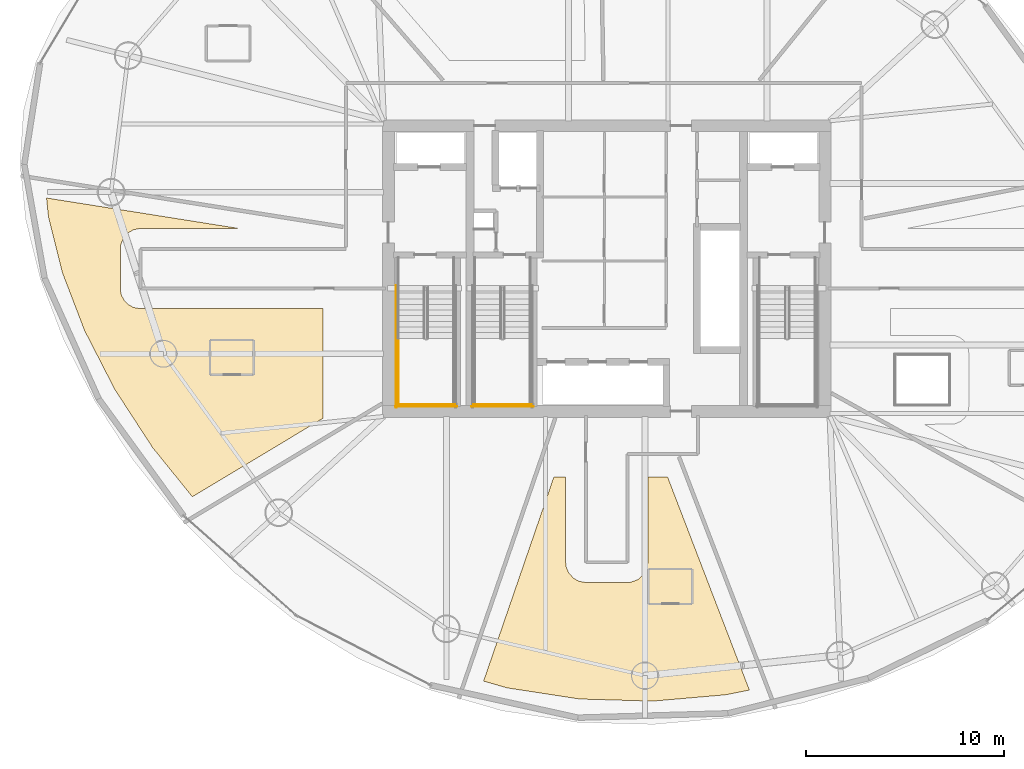
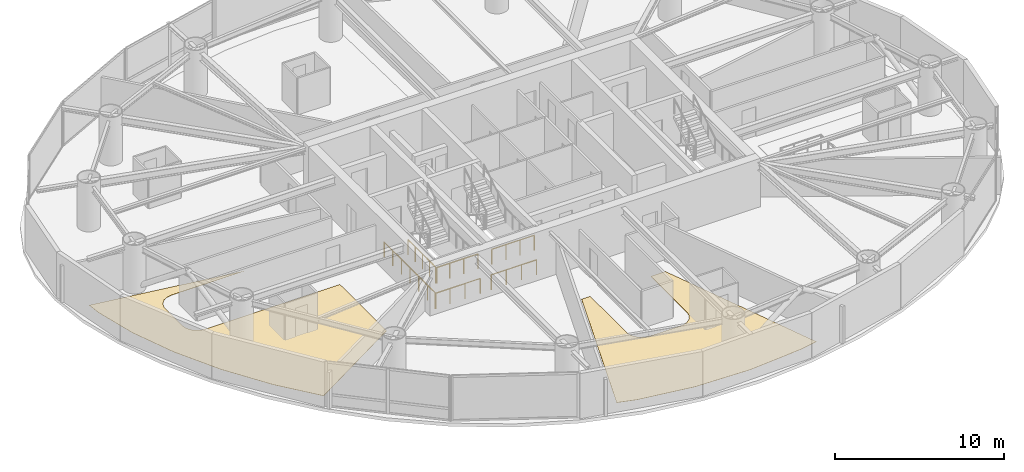
# One storey, part 17 of 20: 6 railings, 2 coverings.
"""IFC4 building model written with IfcOpenShell, lengths in metres."""

from ifc_helpers import new_model, si_unit, direction, frame, origin, origin_2d, place, context, subcontext, project, spatial, polyline, circle, outline, extrude, material, layer, layer_set, type_object, element, save


model = new_model("IFC4")

# Units and contexts
model_context = context("Model", 3, precision=1e-05, world=origin(), true_north=direction((0.0, 1.0)))
body_context = subcontext(model_context, "Body", "Model", "MODEL_VIEW")
ifc_project = project(units=[si_unit("LENGTHUNIT", "METRE"), si_unit("AREAUNIT", "SQUARE_METRE"), si_unit("VOLUMEUNIT", "CUBIC_METRE"), si_unit("PLANEANGLEUNIT", "RADIAN"), si_unit("MASSUNIT", "GRAM", prefix="KILO")], contexts=[model_context])

# Site, building, storey
site_placement = place(None, origin())
site = spatial("IfcSite", under=ifc_project, at=site_placement, CompositionType="ELEMENT")
building_placement = place(site_placement, origin())
building = spatial("IfcBuilding", under=site, at=building_placement, Name="Bramvorn Convention Spire", CompositionType="ELEMENT")
storey_placement = place(building_placement, frame((0.0, 0.0, 113.300048828125)))
storey = spatial("IfcBuildingStorey", under=building, at=storey_placement, Name="L27", CompositionType="ELEMENT", Elevation=113.300048828125)

# Coverings
ifc_material_1 = material(Name="Solution-Dyed Wool Broadloom Hospitality Carpet", Category="textile")
ifc_layer = layer(ifc_material_1, 0.014892578125)
ifc_layer_set = layer_set([ifc_layer], Name="Solution-Dyed Wool Broadloom Hospitality Carpet - FLR-CARPET-15")
covering_type = type_object("IfcCoveringType", Name="FLR-CARPET-15", PredefinedType="FLOORING", material=ifc_layer_set)
covering_1_placement = place(storey_placement, origin())
element("IfcCovering", 1, at=covering_1_placement, inside=storey, type_object=covering_type, Name="Hotel Suite 2705 wool broadloom carpet", PredefinedType="FLOORING", context=body_context, shape_type="SweptSolid", body=[
    extrude(outline(polyline([(17.114013671875, 14.50048828125), (23.699951171875, 18.457763671875), (23.699951171875, 23.97998046875), (14.5, 23.97998046875), (14.15087890625, 24.041748046875), (13.8876953125, 24.184326171875), (13.67724609375, 24.397216796875), (13.537841796875, 24.662109375), (13.481689453125, 24.944091796875), (13.490234375, 27.143798828125), (13.622314453125, 27.519287109375), (13.8876953125, 27.815673828125), (14.15087890625, 27.958251953125), (14.455810546875, 28.018798828125), (19.492919921875, 28.02001953125), (9.76416015625, 29.560791015625), (9.862548828125, 28.61083984375), (10.564697265625, 25.797607421875), (11.684326171875, 22.87451171875), (13.206787109375, 19.9072265625), (15.113037109375, 16.976318359375), (17.114013671875, 14.50048828125)])), origin(), (0.0, 0.0, 1.0), 0.014892578125),
])
covering_2_placement = place(storey_placement, origin())
element("IfcCovering", 2, at=covering_2_placement, inside=storey, type_object=covering_type, Name="Hotel Suite 2707 wool broadloom carpet", PredefinedType="FLOORING", context=body_context, shape_type="SweptSolid", body=[
    extrude(outline(polyline([(43.9755859375, 4.517578125), (45.190185546875, 4.757080078125), (41.06640625, 15.5), (40.070068359375, 15.5), (40.06884765625, 11.15576171875), (40.01220703125, 10.862060546875), (39.865478515625, 10.587646484375), (39.5693359375, 10.322265625), (39.19384765625, 10.190185546875), (36.949951171875, 10.179931640625), (36.612060546875, 10.23779296875), (36.337646484375, 10.384521484375), (36.078369140625, 10.670654296875), (35.962158203125, 10.946533203125), (35.929931640625, 11.199951171875), (35.929931640625, 15.5), (35.33642578125, 15.5), (31.793701171875, 5.211181640625), (32.974365234375, 4.868896484375), (36.62841796875, 4.30712890625), (40.320556640625, 4.2001953125), (43.9755859375, 4.517578125)])), origin(), (0.0, 0.0, 1.0), 0.014892578125),
])

# Railings
ifc_material_2 = material(Name="Painted Steel Balustrade & Guardrail", Category="steel")
railing_type = type_object("IfcRailingType", Name="RL-STAIR-GUARD-1100", PredefinedType="GUARDRAIL", material=ifc_material_2)
railing_1_placement = place(storey_placement, frame((27.5, 22.485107421875, 1.75)))
element("IfcRailing", 3, at=railing_1_placement, inside=storey, type_object=railing_type, Name="L27 ST1 stair guard 3", PredefinedType="GUARDRAIL", context=body_context, shape_type="SweptSolid", body=[
    extrude(circle(Radius=0.02392578125, at=origin_2d()), frame((0.0, 0.0, 1.076171875), z_axis=(0.0, -1.0, 0.0), x_axis=(1.0, 0.0, 0.0)), (0.0, 0.0, 1.0), 3.385009765625),
    extrude(circle(Radius=0.02099609375, at=origin_2d()), origin(), (0.0, 0.0, 1.0), 1.052001953125),
    extrude(circle(Radius=0.02099609375, at=origin_2d()), frame((0.0, -0.84619140625, 0.0)), (0.0, 0.0, 1.0), 1.052001953125),
    extrude(circle(Radius=0.02099609375, at=origin_2d()), frame((0.0, -1.6923828125, 0.0)), (0.0, 0.0, 1.0), 1.052001953125),
    extrude(circle(Radius=0.02099609375, at=origin_2d()), frame((0.0, -2.538818359375, 0.0)), (0.0, 0.0, 1.0), 1.052001953125),
    extrude(circle(Radius=0.02099609375, at=origin_2d()), frame((0.0, -3.385009765625, 0.0)), (0.0, 0.0, 1.0), 1.052001953125),
])
railing_2_placement = place(storey_placement, frame((27.449951171875, 19.14990234375, 1.75)))
element("IfcRailing", 4, at=railing_2_placement, inside=storey, type_object=railing_type, Name="L27 ST1 stair guard 5", PredefinedType="GUARDRAIL", context=body_context, shape_type="SweptSolid", body=[
    extrude(circle(Radius=0.02392578125, at=origin_2d()), frame((0.0, 0.0, 1.076171875), z_axis=(1.0, 0.0, 0.0), x_axis=(0.0, 1.0, 0.0)), (0.0, 0.0, 1.0), 2.900146484375),
    extrude(circle(Radius=0.02099609375, at=origin_2d()), origin(), (0.0, 0.0, 1.0), 1.052001953125),
    extrude(circle(Radius=0.02099609375, at=origin_2d()), frame((0.966796875, 0.0, 0.0)), (0.0, 0.0, 1.0), 1.052001953125),
    extrude(circle(Radius=0.02099609375, at=origin_2d()), frame((1.933349609375, 0.0, 0.0)), (0.0, 0.0, 1.0), 1.052001953125),
    extrude(circle(Radius=0.02099609375, at=origin_2d()), frame((2.900146484375, 0.0, 0.0)), (0.0, 0.0, 1.0), 1.052001953125),
])
railing_3_placement = place(storey_placement, frame((27.39990234375, 25.14990234375, 0.0)))
element("IfcRailing", 5, at=railing_3_placement, inside=storey, type_object=railing_type, Name="L27 ST1 stair guard 10", PredefinedType="GUARDRAIL", context=body_context, shape_type="SweptSolid", body=[
    extrude(circle(Radius=0.02392578125, at=origin_2d()), frame((0.0, 0.0, 1.076171875), z_axis=(0.0, -1.0, 0.0), x_axis=(1.0, 0.0, 0.0)), (0.0, 0.0, 1.0), 6.14990234375),
    extrude(circle(Radius=0.02099609375, at=origin_2d()), origin(), (0.0, 0.0, 1.0), 1.052001953125),
    extrude(circle(Radius=0.02099609375, at=origin_2d()), frame((0.0, -1.02490234375, 0.0)), (0.0, 0.0, 1.0), 1.052001953125),
    extrude(circle(Radius=0.02099609375, at=origin_2d()), frame((0.0, -2.050048828125, 0.0)), (0.0, 0.0, 1.0), 1.052001953125),
    extrude(circle(Radius=0.02099609375, at=origin_2d()), frame((0.0, -3.074951171875, 0.0)), (0.0, 0.0, 1.0), 1.052001953125),
    extrude(circle(Radius=0.02099609375, at=origin_2d()), frame((0.0, -4.099853515625, 0.0)), (0.0, 0.0, 1.0), 1.052001953125),
    extrude(circle(Radius=0.02099609375, at=origin_2d()), frame((0.0, -5.125, 0.0)), (0.0, 0.0, 1.0), 1.052001953125),
    extrude(circle(Radius=0.02099609375, at=origin_2d()), frame((0.0, -6.14990234375, 0.0)), (0.0, 0.0, 1.0), 1.052001953125),
])
railing_4_placement = place(storey_placement, frame((27.35009765625, 19.050048828125, 0.0)))
element("IfcRailing", 6, at=railing_4_placement, inside=storey, type_object=railing_type, Name="L27 ST1 stair guard 12", PredefinedType="GUARDRAIL", context=body_context, shape_type="SweptSolid", body=[
    extrude(circle(Radius=0.02392578125, at=origin_2d()), frame((0.0, 0.0, 1.076171875), z_axis=(1.0, 0.0, 0.0), x_axis=(0.0, 1.0, 0.0)), (0.0, 0.0, 1.0), 3.099853515625),
    extrude(circle(Radius=0.02099609375, at=origin_2d()), origin(), (0.0, 0.0, 1.0), 1.052001953125),
    extrude(circle(Radius=0.02099609375, at=origin_2d()), frame((1.033203125, 0.0, 0.0)), (0.0, 0.0, 1.0), 1.052001953125),
    extrude(circle(Radius=0.02099609375, at=origin_2d()), frame((2.066650390625, 0.0, 0.0)), (0.0, 0.0, 1.0), 1.052001953125),
    extrude(circle(Radius=0.02099609375, at=origin_2d()), frame((3.099853515625, 0.0, 0.0)), (0.0, 0.0, 1.0), 1.052001953125),
])
railing_5_placement = place(storey_placement, frame((31.300048828125, 19.14990234375, 1.75)))
element("IfcRailing", 7, at=railing_5_placement, inside=storey, type_object=railing_type, Name="L27 ST3 stair guard 5", PredefinedType="GUARDRAIL", context=body_context, shape_type="SweptSolid", body=[
    extrude(circle(Radius=0.02392578125, at=origin_2d()), frame((0.0, 0.0, 1.076171875), z_axis=(1.0, 0.0, 0.0), x_axis=(0.0, 1.0, 0.0)), (0.0, 0.0, 1.0), 2.89990234375),
    extrude(circle(Radius=0.02099609375, at=origin_2d()), origin(), (0.0, 0.0, 1.0), 1.052001953125),
    extrude(circle(Radius=0.02099609375, at=origin_2d()), frame((0.966552734375, 0.0, 0.0)), (0.0, 0.0, 1.0), 1.052001953125),
    extrude(circle(Radius=0.02099609375, at=origin_2d()), frame((1.933349609375, 0.0, 0.0)), (0.0, 0.0, 1.0), 1.052001953125),
    extrude(circle(Radius=0.02099609375, at=origin_2d()), frame((2.89990234375, 0.0, 0.0)), (0.0, 0.0, 1.0), 1.052001953125),
])
railing_6_placement = place(storey_placement, frame((31.199951171875, 19.050048828125, 0.0)))
element("IfcRailing", 8, at=railing_6_placement, inside=storey, type_object=railing_type, Name="L27 ST3 stair guard 12", PredefinedType="GUARDRAIL", context=body_context, shape_type="SweptSolid", body=[
    extrude(circle(Radius=0.02392578125, at=origin_2d()), frame((0.0, 0.0, 1.076171875), z_axis=(1.0, 0.0, 0.0), x_axis=(0.0, 1.0, 0.0)), (0.0, 0.0, 1.0), 3.10009765625),
    extrude(circle(Radius=0.02099609375, at=origin_2d()), origin(), (0.0, 0.0, 1.0), 1.052001953125),
    extrude(circle(Radius=0.02099609375, at=origin_2d()), frame((1.033447265625, 0.0, 0.0)), (0.0, 0.0, 1.0), 1.052001953125),
    extrude(circle(Radius=0.02099609375, at=origin_2d()), frame((2.066650390625, 0.0, 0.0)), (0.0, 0.0, 1.0), 1.052001953125),
    extrude(circle(Radius=0.02099609375, at=origin_2d()), frame((3.10009765625, 0.0, 0.0)), (0.0, 0.0, 1.0), 1.052001953125),
])

save(model, "model.ifc")
